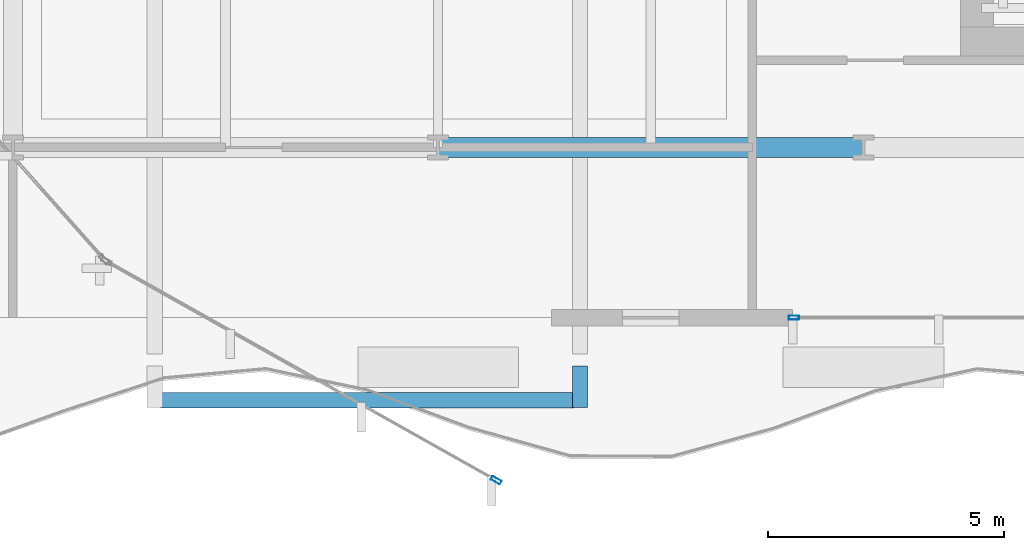
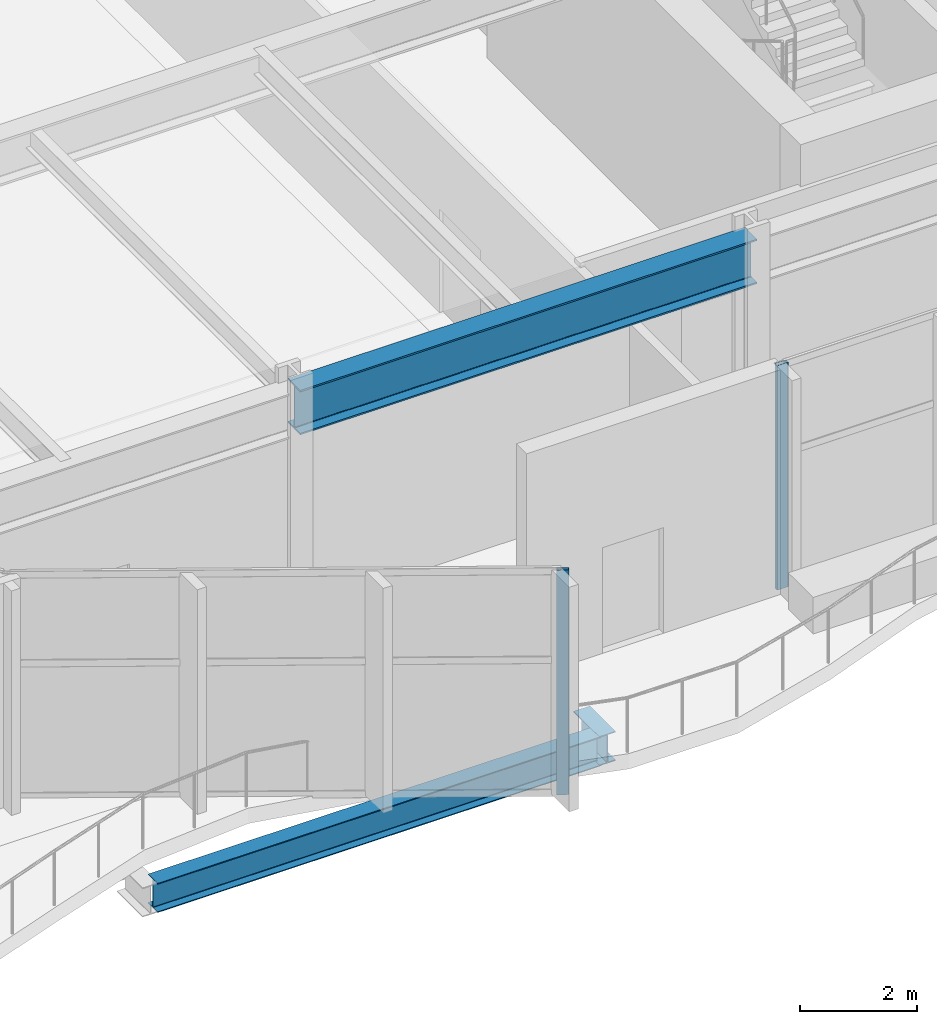
# One storey, part 3 of 28: 3 beams, 2 members, 2 elements without a shape of their own.
"""IFC4 building model written with IfcOpenShell, lengths in metres."""

import ifcopenshell
import ifcopenshell.guid

model = None  # the IFC model being written
_history = None  # IfcOwnerHistory: only IFC2X3 demands one
_inside = {}  # id of a spatial element -> (the spatial element, [elements in it])
_under = {}  # id of a project, library or spatial element -> (it, [spatial elements below it])
_declared = {}  # id of a project -> (the project, [libraries it declares])
_typed = {}  # id of a type object -> (the type object, [elements of that type])
_made_of = {}  # id of a material, layer set ... -> (it, [elements and type objects made of it])


def new_model(schema):
    """Start an empty IFC model of exactly this schema.

    Asked for "IFC4X3", IfcOpenShell would pick the latest addendum, in which some entities
    have other attributes; the version numbers below select the first issue.
    IFC2X3 requires an IfcOwnerHistory on every rooted entity: one is made here for all.
    """
    global model, _history
    if schema == "IFC4X3":
        model = ifcopenshell.file(schema_version=(4, 3, 0, 0))
    else:
        model = ifcopenshell.file(schema=schema)
    _inside.clear()
    _under.clear()
    _declared.clear()
    _typed.clear()
    _made_of.clear()
    _history = None
    if model.schema == "IFC2X3":
        org = make("IfcOrganization", Name="unknown")
        user = make(
            "IfcPersonAndOrganization",
            ThePerson=make("IfcPerson", FamilyName="unknown"),
            TheOrganization=org,
        )
        app = make(
            "IfcApplication",
            ApplicationDeveloper=org,
            Version="unknown",
            ApplicationFullName="unknown",
            ApplicationIdentifier="unknown",
        )
        _history = make(
            "IfcOwnerHistory",
            OwningUser=user,
            OwningApplication=app,
            ChangeAction="ADDED",
            CreationDate=0,
        )
    return model


def make(cls, **values):
    """One entity of the class cls with the attributes given. An attribute that is None is left unset."""
    return model.create_entity(
        cls, **{name: value for name, value in values.items() if value is not None}
    )


def rooted(cls, **values):
    """An entity with a GlobalId (a new one), such as an element, a storey or a relation."""
    return make(cls, GlobalId=ifcopenshell.guid.new(), OwnerHistory=_history, **values)


def si_unit(unit_type, name, prefix=None):
    """IfcSIUnit, for example si_unit("LENGTHUNIT", "METRE", prefix="MILLI")."""
    return make("IfcSIUnit", UnitType=unit_type, Prefix=prefix, Name=name)


def assignment(units):
    """IfcUnitAssignment: the units of a project."""
    return None if units is None else make("IfcUnitAssignment", Units=units)


def point(xyz):
    """IfcCartesianPoint."""
    return None if xyz is None else make("IfcCartesianPoint", Coordinates=xyz)


def direction(xyz):
    """IfcDirection."""
    return None if xyz is None else make("IfcDirection", DirectionRatios=xyz)


def frame(location, z_axis=None, x_axis=None):
    """IfcAxis2Placement3D, a coordinate frame: its origin and axes. An axis left out is left unset."""
    return make(
        "IfcAxis2Placement3D",
        Location=point(location),
        Axis=direction(z_axis),
        RefDirection=direction(x_axis),
    )


def frame_2d(location, x_axis=None):
    """IfcAxis2Placement2D, a coordinate frame in the plane: its origin and x axis."""
    return make(
        "IfcAxis2Placement2D", Location=point(location), RefDirection=direction(x_axis)
    )


def origin():
    """The frame at (0, 0, 0) with its axes left unset."""
    return frame((0.0, 0.0, 0.0))


def origin_2d():
    """The frame at (0, 0) in the plane with its x axis left unset."""
    return frame_2d((0.0, 0.0))


def place(relative_to, where):
    """IfcLocalPlacement: puts the frame where relative to a parent placement (None: the world)."""
    return make(
        "IfcLocalPlacement", PlacementRelTo=relative_to, RelativePlacement=where
    )


def context(
    kind, dimensions, precision=None, world=None, true_north=None, identifier=None
):
    """IfcGeometricRepresentationContext, for example the 3D "Model" context."""
    return make(
        "IfcGeometricRepresentationContext",
        ContextIdentifier=identifier,
        ContextType=kind,
        CoordinateSpaceDimension=dimensions,
        Precision=precision,
        WorldCoordinateSystem=world,
        TrueNorth=true_north,
    )


def subcontext(parent, identifier, kind, view, scale=None):
    """IfcGeometricRepresentationSubContext, for example "Body" below "Model"."""
    return make(
        "IfcGeometricRepresentationSubContext",
        ContextIdentifier=identifier,
        ContextType=kind,
        ParentContext=parent,
        TargetScale=scale,
        TargetView=view,
    )


def project(units=None, contexts=None):
    """IfcProject with its units and contexts."""
    return rooted(
        "IfcProject",
        Name="project",
        RepresentationContexts=contexts,
        UnitsInContext=assignment(units),
    )


def spatial(cls, under=None, at=None, **own):
    """A site, building, storey or space (cls), placed at a placement, below another one or the project."""
    s = rooted(cls, ObjectPlacement=at, **own)
    if under is not None:
        _under.setdefault(under.id(), (under, []))[1].append(s)
    return s


def profile(cls, at=None, kind="AREA", **sizes):
    """A parametric profile (cls). Its sizes go by their IFC names, for example OverallWidth=200.0."""
    return make(cls, ProfileType=kind, Position=at, **sizes)


def hollow_rectangle(**sizes):
    """IfcRectangleHollowProfileDef."""
    return profile("IfcRectangleHollowProfileDef", **sizes)


def i_section(**sizes):
    """IfcIShapeProfileDef."""
    return profile("IfcIShapeProfileDef", **sizes)


def extrude(swept, where, along, depth):
    """IfcExtrudedAreaSolid: the profile swept, set in the frame where, extruded along a direction by depth."""
    return make(
        "IfcExtrudedAreaSolid",
        SweptArea=swept,
        Position=where,
        ExtrudedDirection=direction(along),
        Depth=depth,
    )


def shape(context_of_items, identifier, shape_type, items):
    """IfcShapeRepresentation: the items that make up one representation, for example the "Body"."""
    return make(
        "IfcShapeRepresentation",
        ContextOfItems=context_of_items,
        RepresentationIdentifier=identifier,
        RepresentationType=shape_type,
        Items=items,
    )


def material(Name=None, Category=None):
    """IfcMaterial."""
    return make("IfcMaterial", Name=Name, Category=Category)


def layer(
    of_material, thickness, ventilated=None, Name=None, Category=None, Priority=None
):
    """IfcMaterialLayer: one layer of a wall or slab, of a material (None: an air gap)."""
    return make(
        "IfcMaterialLayer",
        Material=of_material,
        LayerThickness=thickness,
        IsVentilated=ventilated,
        Name=Name,
        Category=Category,
        Priority=Priority,
    )


def layer_set(layers, Name=None):
    """IfcMaterialLayerSet."""
    return make("IfcMaterialLayerSet", MaterialLayers=layers, LayerSetName=Name)


def material_profile(
    of_material, cross_section, Name=None, Category=None, Priority=None
):
    """IfcMaterialProfile: a cross section and its material."""
    return make(
        "IfcMaterialProfile",
        Name=Name,
        Material=of_material,
        Profile=cross_section,
        Priority=Priority,
        Category=Category,
    )


def profile_set(profiles, Name=None, composite=None):
    """IfcMaterialProfileSet."""
    return make(
        "IfcMaterialProfileSet",
        Name=Name,
        MaterialProfiles=profiles,
        CompositeProfile=composite,
    )


def made_of(thing, what):
    """Note that an element or type object is made of a material, layer set ...; save() writes the relation."""
    if what is not None:
        _made_of.setdefault(what.id(), (what, []))[1].append(thing)
    return thing


def type_object(cls, material=None, **own):
    """A type object (cls), such as IfcWallType, which elements share."""
    return made_of(rooted(cls, **own), material)


def element(
    cls,
    number,
    at=None,
    inside=None,
    cuts=None,
    type_object=None,
    material=None,
    context=None,
    identifier="Body",
    shape_type=None,
    held_by="IfcProductDefinitionShape",
    body=None,
    shapes=None,
    **own,
):
    """One element of the class cls, such as IfcWall. Its Tag is "e" and its number.

    at: its placement. inside: the storey or other place that contains it. cuts: it is an
    opening in that element (IfcRelVoidsElement). A single representation is given by context,
    identifier, shape_type and body (its items); several are given by shapes. held_by: the class
    of the entity that holds the representations. save() writes the other relations.
    """
    e = rooted(cls, Tag="e%d" % number, ObjectPlacement=at, **own)
    if body is not None:
        shapes = [shape(context, identifier, shape_type, body)]
    if shapes is not None:
        e.Representation = make(held_by, Representations=shapes)
    if inside is not None:
        _inside.setdefault(inside.id(), (inside, []))[1].append(e)
    if cuts is not None:
        rooted(
            "IfcRelVoidsElement", RelatingBuildingElement=cuts, RelatedOpeningElement=e
        )
    if type_object is not None:
        _typed.setdefault(type_object.id(), (type_object, []))[1].append(e)
    return made_of(e, material)


def aggregate(whole, parts):
    """IfcRelAggregates: a whole, such as a stair, and the parts it consists of."""
    return rooted("IfcRelAggregates", RelatingObject=whole, RelatedObjects=parts)


def save(model, path):
    """Write the relations noted so far, then the file.

    IfcRelAggregates (storeys below a building ...), IfcRelContainedInSpatialStructure (elements
    in a storey), IfcRelDefinesByType, IfcRelAssociatesMaterial and IfcRelDeclares: one each for
    every whole, place, type object, material and project.
    """
    for whole, parts in _under.values():
        aggregate(whole, parts)
    for where, things in _inside.values():
        rooted(
            "IfcRelContainedInSpatialStructure",
            RelatedElements=things,
            RelatingStructure=where,
        )
    for kind, things in _typed.values():
        rooted("IfcRelDefinesByType", RelatedObjects=things, RelatingType=kind)
    for what, things in _made_of.values():
        rooted("IfcRelAssociatesMaterial", RelatedObjects=things, RelatingMaterial=what)
    for by, libraries in _declared.values():
        rooted("IfcRelDeclares", RelatingContext=by, RelatedDefinitions=libraries)
    model.write(path)


model = new_model("IFC4")

# Units and contexts
model_context = context("Model", 3, precision=1e-05, world=origin(), true_north=direction((0.0, 1.0)))
body_context = subcontext(model_context, "Body", "Model", "MODEL_VIEW")
ifc_project = project(units=[si_unit("LENGTHUNIT", "METRE"), si_unit("AREAUNIT", "SQUARE_METRE"), si_unit("VOLUMEUNIT", "CUBIC_METRE"), si_unit("PLANEANGLEUNIT", "RADIAN"), si_unit("MASSUNIT", "GRAM", prefix="KILO")], contexts=[model_context])

# Site, building, storey
site_placement = place(None, origin())
site = spatial("IfcSite", under=ifc_project, at=site_placement, CompositionType="ELEMENT")
building_placement = place(site_placement, origin())
building = spatial("IfcBuilding", under=site, at=building_placement, Name="Solvaryn Broadcast Tower", CompositionType="ELEMENT")
storey_placement = place(building_placement, frame((0.0, 0.0, 16.199951171875)))
storey = spatial("IfcBuildingStorey", under=building, at=storey_placement, Name="L03", CompositionType="ELEMENT", Elevation=16.199951171875)

# Beams
ifc_material_1 = material(Name="Steel ASTM A992 Grade 50", Category="steel")
ifc_material_profile_1 = material_profile(ifc_material_1, i_section(OverallWidth=0.323974609375, OverallDepth=0.611083984375, WebThickness=0.0126953125, FlangeThickness=0.01904296875, FilletRadius=0.014892578125, at=origin_2d()))
ifc_profile_set_1 = profile_set([ifc_material_profile_1], Name="Steel ASTM A992 Grade 50")
beam_type_1 = type_object("IfcBeamType", Name="BM-B1-W24X104", PredefinedType="BEAM", material=ifc_profile_set_1)
beam_1_placement = place(storey_placement, frame((12.125, 3.64990234375, -0.62548828125), z_axis=(1.0, 0.0, 0.0), x_axis=(0.0, 1.0, 0.0)))
element("IfcBeam", 1, at=beam_1_placement, inside=storey, type_object=beam_type_1, Name="L03 Terrace Cross Tie Beam", PredefinedType="BEAM", context=body_context, shape_type="SweptSolid", body=[
    extrude(i_section(OverallWidth=0.323974609375, OverallDepth=0.611083984375, WebThickness=0.0126953125, FlangeThickness=0.01904296875, FilletRadius=0.014892578125, at=origin_2d()), origin(), (0.0, 0.0, 1.0), 8.75),
])
ifc_material_2 = material(Name="Steel ASTM A992 Grade 50", Category="steel")
ifc_material_profile_2 = material_profile(ifc_material_2, i_section(OverallWidth=0.323974609375, OverallDepth=0.611083984375, WebThickness=0.0126953125, FlangeThickness=0.01904296875, FilletRadius=0.014892578125, at=origin_2d()))
ifc_profile_set_2 = profile_set([ifc_material_profile_2], Name="Steel ASTM A992 Grade 50")
beam_type_2 = type_object("IfcBeamType", Name="BM-CANT-TER", PredefinedType="BEAM", material=ifc_profile_set_2)
beam_2_placement = place(storey_placement, frame((21.0, 4.375, -0.62548828125), z_axis=(0.0, -1.0, 0.0), x_axis=(1.0, 0.0, 0.0)))
element("IfcBeam", 2, at=beam_2_placement, inside=storey, type_object=beam_type_2, Name="L03 Terrace Cantilever Beam X21.0", PredefinedType="BEAM", context=body_context, shape_type="SweptSolid", body=[
    extrude(i_section(OverallWidth=0.323974609375, OverallDepth=0.611083984375, WebThickness=0.0126953125, FlangeThickness=0.01904296875, FilletRadius=0.014892578125, at=origin_2d()), origin(), (0.0, 0.0, 1.0), 0.875),
])
ifc_material_3 = material(Name="Steel ASTM A992 Grade 50", Category="steel")
ifc_material_profile_3 = material_profile(ifc_material_3, i_section(OverallWidth=0.41796875, OverallDepth=0.927001953125, WebThickness=0.019287109375, FlangeThickness=0.031982421875, FilletRadius=0.02392578125, at=origin_2d()))
ifc_profile_set_3 = profile_set([ifc_material_profile_3], Name="Steel ASTM A992 Grade 50")
beam_type_3 = type_object("IfcBeamType", Name="BM-G2-W36X231", PredefinedType="BEAM", material=ifc_profile_set_3)
beam_3_placement = place(storey_placement, frame((18.0, 9.0, 4.216552734375), z_axis=(1.0, 0.0, 0.0), x_axis=(0.0, 1.0, 0.0)))
element("IfcBeam", 3, at=beam_3_placement, inside=storey, type_object=beam_type_3, Name="L03 Primary Beam X (18-27 @ Y=9)", PredefinedType="BEAM", context=body_context, shape_type="SweptSolid", body=[
    extrude(i_section(OverallWidth=0.41796875, OverallDepth=0.927001953125, WebThickness=0.019287109375, FlangeThickness=0.031982421875, FilletRadius=0.02392578125, at=origin_2d()), origin(), (0.0, 0.0, 1.0), 9.0),
])

# Curtain wall, member
ifc_material_4 = material(Name="Aluminium and Terracotta Unitised Curtain Wall", Category="masonry")
ifc_layer = layer(ifc_material_4, 0.219970703125)
ifc_layer_set = layer_set([ifc_layer], Name="CW-SYS1-PODIUM")
curtain_wall_type = type_object("IfcCurtainWallType", Name="CW-SYS1-PODIUM", PredefinedType="NOTDEFINED", material=ifc_layer_set)
curtain_wall_1_placement = place(storey_placement, origin())
curtain_wall_1 = element("IfcCurtainWall", 4, at=curtain_wall_1_placement, inside=storey, type_object=curtain_wall_type, Name="L03 Podium Curtain Wall S1", PredefinedType="NOTDEFINED")
ifc_material_5 = material(Name="Anodised Aluminium 6063-T6", Category="aluminium")
ifc_material_profile_4 = material_profile(ifc_material_5, hollow_rectangle(XDim=0.0849609375, YDim=0.219970703125, WallThickness=0.0048828125, InnerFilletRadius=0.0048828125, OuterFilletRadius=0.010009765625, at=origin_2d()))
ifc_profile_set_4 = profile_set([ifc_material_profile_4], Name="Anodised Aluminium 6063-T6")
member_type = type_object("IfcMemberType", Name="CW-MUL-220", PredefinedType="MULLION", material=ifc_profile_set_4)
member_1_placement = place(storey_placement, frame((25.530029296875, 5.39990234375, 0.0), z_axis=(0.0, 0.0, 1.0), x_axis=(0.0, -1.0, 0.0)))
member_1 = element("IfcMember", 5, at=member_1_placement, type_object=member_type, Name="CWS1 mullion 3", PredefinedType="MULLION", context=body_context, shape_type="SweptSolid", body=[
    extrude(hollow_rectangle(XDim=0.0849609375, YDim=0.219970703125, WallThickness=0.0048828125, InnerFilletRadius=0.0048828125, OuterFilletRadius=0.010009765625, at=origin_2d()), origin(), (0.0, 0.0, 1.0), 4.679931640625),
])
aggregate(curtain_wall_1, [member_1])

curtain_wall_2_placement = place(storey_placement, origin())
curtain_wall_2 = element("IfcCurtainWall", 6, at=curtain_wall_2_placement, inside=storey, type_object=curtain_wall_type, Name="L03 Podium Curtain Wall DC4", PredefinedType="NOTDEFINED")
member_2_placement = place(storey_placement, frame((19.227783203125, 1.956787109375, 0.0), z_axis=(0.0, 0.0, 1.0), x_axis=(0.489917160453, 0.871768992276, 0.0)))
member_2 = element("IfcMember", 7, at=member_2_placement, type_object=member_type, Name="CWS1 mullion 2", PredefinedType="MULLION", context=body_context, shape_type="SweptSolid", body=[
    extrude(hollow_rectangle(XDim=0.0849609375, YDim=0.219970703125, WallThickness=0.0048828125, InnerFilletRadius=0.0048828125, OuterFilletRadius=0.010009765625, at=origin_2d()), origin(), (0.0, 0.0, 1.0), 4.679931640625),
])
aggregate(curtain_wall_2, [member_2])

save(model, "model.ifc")
